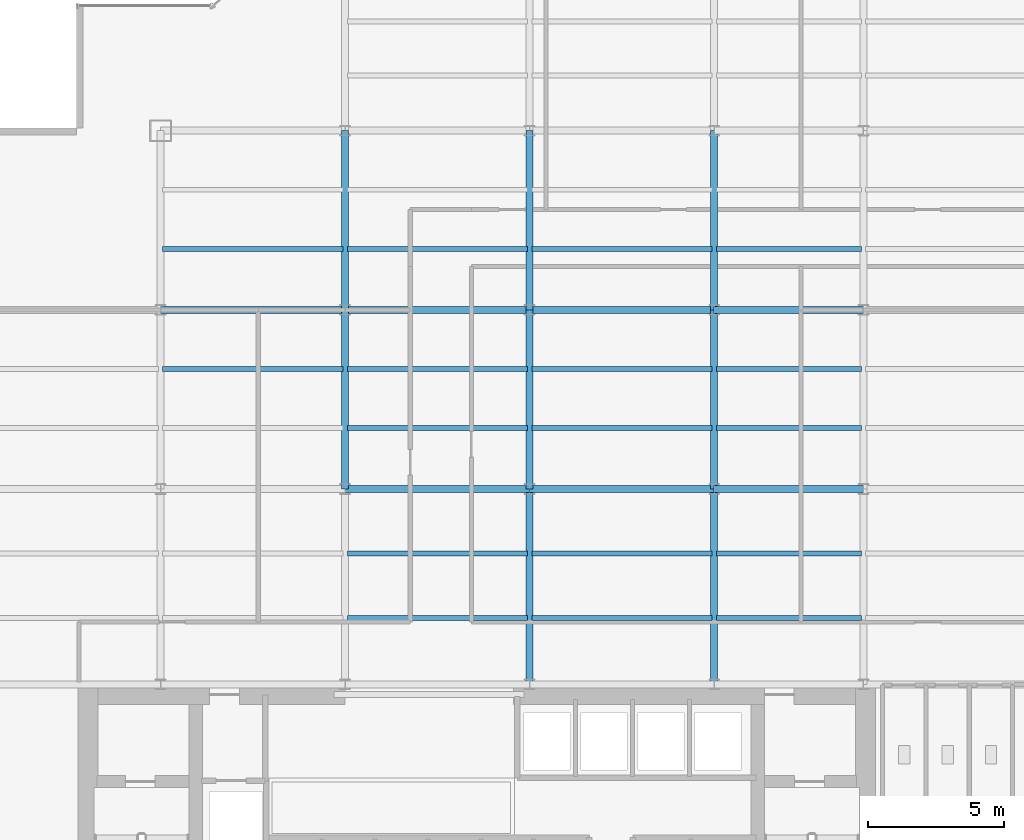
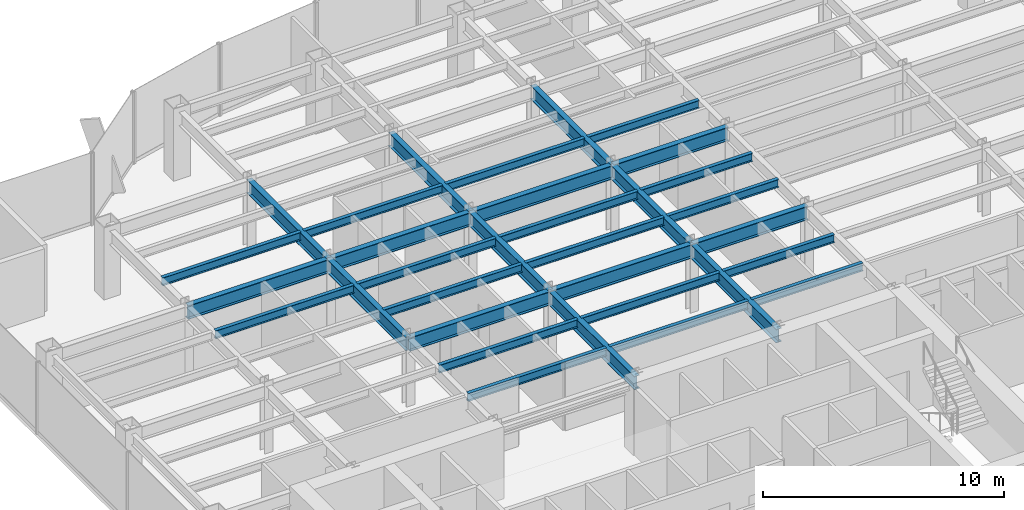
# One storey, part 7 of 26: 32 beams.
"""IFC4 building model written with IfcOpenShell, lengths in metres."""

from ifc_helpers import new_model, si_unit, derived_unit, direction, frame, origin, origin_2d, place, context, subcontext, project, spatial, i_section, extrude, source, transform, mapped, material, material_profile, profile_set, type_object, element, save


model = new_model("IFC4")

# Units and contexts
model_context = context("Model", 3, precision=1e-05, world=origin(), true_north=direction((0.0, 1.0)))
body_context = subcontext(model_context, "Body", "Model", "MODEL_VIEW")
ifc_project = project(units=[si_unit("LENGTHUNIT", "METRE"), si_unit("AREAUNIT", "SQUARE_METRE"), si_unit("VOLUMEUNIT", "CUBIC_METRE"), si_unit("PLANEANGLEUNIT", "RADIAN"), si_unit("MASSUNIT", "GRAM", prefix="KILO"), derived_unit("THERMALTRANSMITTANCEUNIT", [(si_unit("POWERUNIT", "WATT"), 1), (si_unit("LENGTHUNIT", "METRE"), -2), (si_unit("THERMODYNAMICTEMPERATUREUNIT", "KELVIN"), -1)])], contexts=[model_context])

# Site, building, storey
site_placement = place(None, origin())
site = spatial("IfcSite", under=ifc_project, at=site_placement, CompositionType="ELEMENT")
building_placement = place(site_placement, origin())
building = spatial("IfcBuilding", under=site, at=building_placement, Name="Skarnbrae Concourse Arena and Tower", CompositionType="ELEMENT")
storey_placement = place(building_placement, frame((0.0, 0.0, 110.550048828125)))
storey = spatial("IfcBuildingStorey", under=building, at=storey_placement, Name="L27", CompositionType="ELEMENT", Elevation=110.550048828125)

# Beams
ifc_material = material(Name="Steel CSA G40.21 350W", Category="steel")
ifc_material_profile_1 = material_profile(ifc_material, i_section(OverallWidth=0.256103515625, OverallDepth=0.693115234375, WebThickness=0.014404296875, FlangeThickness=0.023681640625, at=origin_2d()), Name="W690X170")
ifc_profile_set_1 = profile_set([ifc_material_profile_1], Name="Steel CSA G40.21 350W")
beam_type_1 = type_object("IfcBeamType", Name="BM-GIRD-W690X170", PredefinedType="BEAM", material=ifc_profile_set_1)
shared_shape_1 = source(origin(), body_context, "Body", "SweptSolid", [
    extrude(i_section(OverallWidth=0.256103515625, OverallDepth=0.693115234375, WebThickness=0.014404296875, FlangeThickness=0.023681640625, at=origin_2d()), origin(), (0.0, 0.0, 1.0), 6.60009765625),
])
for number, where, z_axis, x_axis, name in (
    (1, (14.39990234375, 21.199951171875, 3.053466796875), (0.0, 1.0, 0.0), (-1.0, 0.0, 0.0), "L27 Primary N-S girder X14.4-2"),
    (2, (21.199951171875, 21.199951171875, 3.053466796875), (0.0, 1.0, 0.0), (-1.0, 0.0, 0.0), "L27 Primary N-S girder X21.2-2"),
    (3, (28.0, 21.199951171875, 3.053466796875), (0.0, 1.0, 0.0), (-1.0, 0.0, 0.0), "L27 Primary N-S girder X28.0-2"),
):
    element("IfcBeam", number, at=place(storey_placement, frame(where, z_axis=z_axis, x_axis=x_axis)), inside=storey, type_object=beam_type_1, Name=name, PredefinedType="BEAM", context=body_context, shape_type="MappedRepresentation", body=[
        mapped(shared_shape_1, transform((0.0, 0.0, 0.0))),
    ])
shared_shape_2 = source(origin(), body_context, "Body", "SweptSolid", [
    extrude(i_section(OverallWidth=0.256103515625, OverallDepth=0.693115234375, WebThickness=0.014404296875, FlangeThickness=0.023681640625, at=origin_2d()), origin(), (0.0, 0.0, 1.0), 6.7998046875),
])
beam_placement = place(storey_placement, frame((7.60009765625, 27.800048828125, 3.053466796875), z_axis=(1.0, 0.0, 0.0), x_axis=(0.0, 1.0, 0.0)))
element("IfcBeam", 4, at=beam_placement, inside=storey, type_object=beam_type_1, Name="L27 Primary E-W girder Y27.8-2", PredefinedType="BEAM", context=body_context, shape_type="MappedRepresentation", body=[
    mapped(shared_shape_2, transform((0.0, 0.0, 0.0))),
])
shared_shape_3 = source(origin(), body_context, "Body", "SweptSolid", [
    extrude(i_section(OverallWidth=0.256103515625, OverallDepth=0.693115234375, WebThickness=0.014404296875, FlangeThickness=0.023681640625, at=origin_2d()), origin(), (0.0, 0.0, 1.0), 6.800048828125),
])
for number, where, z_axis, x_axis, name in (
    (5, (14.39990234375, 21.199951171875, 3.053466796875), (1.0, 0.0, 0.0), (0.0, 1.0, 0.0), "L27 Primary E-W girder Y21.2-3"),
    (6, (21.199951171875, 21.199951171875, 3.053466796875), (1.0, 0.0, 0.0), (0.0, 1.0, 0.0), "L27 Primary E-W girder Y21.2-4"),
    (7, (14.39990234375, 27.800048828125, 3.053466796875), (1.0, 0.0, 0.0), (0.0, 1.0, 0.0), "L27 Primary E-W girder Y27.8-3"),
    (8, (21.199951171875, 27.800048828125, 3.053466796875), (1.0, 0.0, 0.0), (0.0, 1.0, 0.0), "L27 Primary E-W girder Y27.8-4"),
):
    element("IfcBeam", number, at=place(storey_placement, frame(where, z_axis=z_axis, x_axis=x_axis)), inside=storey, type_object=beam_type_1, Name=name, PredefinedType="BEAM", context=body_context, shape_type="MappedRepresentation", body=[
        mapped(shared_shape_3, transform((0.0, 0.0, 0.0))),
    ])
shared_shape_4 = source(origin(), body_context, "Body", "SweptSolid", [
    extrude(i_section(OverallWidth=0.256103515625, OverallDepth=0.693115234375, WebThickness=0.014404296875, FlangeThickness=0.023681640625, at=origin_2d()), origin(), (0.0, 0.0, 1.0), 5.5),
])
for number, where, z_axis, x_axis, name in (
    (9, (28.0, 21.199951171875, 3.053466796875), (1.0, 0.0, 0.0), (0.0, 1.0, 0.0), "L27 Primary E-W girder Y21.2-5"),
    (10, (28.0, 27.800048828125, 3.053466796875), (1.0, 0.0, 0.0), (0.0, 1.0, 0.0), "L27 Primary E-W girder Y27.8-5"),
):
    element("IfcBeam", number, at=place(storey_placement, frame(where, z_axis=z_axis, x_axis=x_axis)), inside=storey, type_object=beam_type_1, Name=name, PredefinedType="BEAM", context=body_context, shape_type="MappedRepresentation", body=[
        mapped(shared_shape_4, transform((0.0, 0.0, 0.0))),
    ])
shared_shape_5 = source(origin(), body_context, "Body", "SweptSolid", [
    extrude(i_section(OverallWidth=0.256103515625, OverallDepth=0.693115234375, WebThickness=0.014404296875, FlangeThickness=0.023681640625, at=origin_2d()), origin(), (0.0, 0.0, 1.0), 7.199951171875),
])
for number, where, z_axis, x_axis, name in (
    (11, (21.199951171875, 14.0, 3.053466796875), (0.0, 1.0, 0.0), (-1.0, 0.0, 0.0), "L27 Primary N-S girder X21.2-1"),
    (12, (28.0, 14.0, 3.053466796875), (0.0, 1.0, 0.0), (-1.0, 0.0, 0.0), "L27 Primary N-S girder X28.0-1"),
):
    element("IfcBeam", number, at=place(storey_placement, frame(where, z_axis=z_axis, x_axis=x_axis)), inside=storey, type_object=beam_type_1, Name=name, PredefinedType="BEAM", context=body_context, shape_type="MappedRepresentation", body=[
        mapped(shared_shape_5, transform((0.0, 0.0, 0.0))),
    ])
shared_shape_6 = source(origin(), body_context, "Body", "SweptSolid", [
    extrude(i_section(OverallWidth=0.256103515625, OverallDepth=0.693115234375, WebThickness=0.014404296875, FlangeThickness=0.023681640625, at=origin_2d()), origin(), (0.0, 0.0, 1.0), 6.599853515625),
])
for number, where, z_axis, x_axis, name in (
    (13, (14.39990234375, 27.800048828125, 3.053466796875), (0.0, 1.0, 0.0), (-1.0, 0.0, 0.0), "L27 Primary N-S girder X14.4-3"),
    (14, (21.199951171875, 27.800048828125, 3.053466796875), (0.0, 1.0, 0.0), (-1.0, 0.0, 0.0), "L27 Primary N-S girder X21.2-3"),
    (15, (28.0, 27.800048828125, 3.053466796875), (0.0, 1.0, 0.0), (-1.0, 0.0, 0.0), "L27 Primary N-S girder X28.0-3"),
):
    element("IfcBeam", number, at=place(storey_placement, frame(where, z_axis=z_axis, x_axis=x_axis)), inside=storey, type_object=beam_type_1, Name=name, PredefinedType="BEAM", context=body_context, shape_type="MappedRepresentation", body=[
        mapped(shared_shape_6, transform((0.0, 0.0, 0.0))),
    ])
ifc_material_profile_2 = material_profile(ifc_material, i_section(OverallWidth=0.177978515625, OverallDepth=0.406982421875, WebThickness=0.0078125, FlangeThickness=0.0126953125, at=origin_2d()), Name="W410X60")
ifc_profile_set_2 = profile_set([ifc_material_profile_2], Name="Steel CSA G40.21 350W")
beam_type_2 = type_object("IfcBeamType", Name="BM-JOIST-W410X60", PredefinedType="JOIST", material=ifc_profile_set_2)
shared_shape_7 = source(origin(), body_context, "Body", "SweptSolid", [
    extrude(i_section(OverallWidth=0.177978515625, OverallDepth=0.406982421875, WebThickness=0.0078125, FlangeThickness=0.0126953125, at=origin_2d()), origin(), (0.0, 0.0, 1.0), 6.64013671875),
])
for number, where, z_axis, x_axis, name in (
    (16, (14.47998046875, 16.447998046875, 3.196533203125), (1.0, 0.0, 0.0), (0.0, 1.0, 0.0), "L27 Secondary floor joist 1.1.3"),
    (17, (14.47998046875, 18.823974609375, 3.196533203125), (1.0, 0.0, 0.0), (0.0, 1.0, 0.0), "L27 Secondary floor joist 1.2.3"),
    (18, (14.47998046875, 23.444091796875, 3.196533203125), (1.0, 0.0, 0.0), (0.0, 1.0, 0.0), "L27 Secondary floor joist 2.1.3"),
    (19, (7.679931640625, 25.6220703125, 3.196533203125), (1.0, 0.0, 0.0), (0.0, 1.0, 0.0), "L27 Secondary floor joist 2.2.2"),
    (20, (14.47998046875, 25.6220703125, 3.196533203125), (1.0, 0.0, 0.0), (0.0, 1.0, 0.0), "L27 Secondary floor joist 2.2.3"),
    (21, (7.679931640625, 30.0439453125, 3.196533203125), (1.0, 0.0, 0.0), (0.0, 1.0, 0.0), "L27 Secondary floor joist 3.1.1"),
    (22, (14.47998046875, 30.0439453125, 3.196533203125), (1.0, 0.0, 0.0), (0.0, 1.0, 0.0), "L27 Secondary floor joist 3.1.2"),
):
    element("IfcBeam", number, at=place(storey_placement, frame(where, z_axis=z_axis, x_axis=x_axis)), inside=storey, type_object=beam_type_2, Name=name, PredefinedType="JOIST", context=body_context, shape_type="MappedRepresentation", body=[
        mapped(shared_shape_7, transform((0.0, 0.0, 0.0))),
    ])
shared_shape_8 = source(origin(), body_context, "Body", "SweptSolid", [
    extrude(i_section(OverallWidth=0.177978515625, OverallDepth=0.406982421875, WebThickness=0.0078125, FlangeThickness=0.0126953125, at=origin_2d()), origin(), (0.0, 0.0, 1.0), 6.639892578125),
])
for number, where, z_axis, x_axis, name in (
    (23, (21.280029296875, 16.447998046875, 3.196533203125), (1.0, 0.0, 0.0), (0.0, 1.0, 0.0), "L27 Secondary floor joist 1.1.4"),
    (24, (21.280029296875, 18.823974609375, 3.196533203125), (1.0, 0.0, 0.0), (0.0, 1.0, 0.0), "L27 Secondary floor joist 1.2.4"),
    (25, (21.280029296875, 23.444091796875, 3.196533203125), (1.0, 0.0, 0.0), (0.0, 1.0, 0.0), "L27 Secondary floor joist 2.1.4"),
    (26, (21.280029296875, 25.6220703125, 3.196533203125), (1.0, 0.0, 0.0), (0.0, 1.0, 0.0), "L27 Secondary floor joist 2.2.4"),
    (27, (21.280029296875, 30.0439453125, 3.196533203125), (1.0, 0.0, 0.0), (0.0, 1.0, 0.0), "L27 Secondary floor joist 3.1.3"),
):
    element("IfcBeam", number, at=place(storey_placement, frame(where, z_axis=z_axis, x_axis=x_axis)), inside=storey, type_object=beam_type_2, Name=name, PredefinedType="JOIST", context=body_context, shape_type="MappedRepresentation", body=[
        mapped(shared_shape_8, transform((0.0, 0.0, 0.0))),
    ])
shared_shape_9 = source(origin(), body_context, "Body", "SweptSolid", [
    extrude(i_section(OverallWidth=0.177978515625, OverallDepth=0.406982421875, WebThickness=0.0078125, FlangeThickness=0.0126953125, at=origin_2d()), origin(), (0.0, 0.0, 1.0), 5.33984375),
])
for number, where, z_axis, x_axis, name in (
    (28, (28.080078125, 16.447998046875, 3.196533203125), (1.0, 0.0, 0.0), (0.0, 1.0, 0.0), "L27 Secondary floor joist 1.1.5"),
    (29, (28.080078125, 18.823974609375, 3.196533203125), (1.0, 0.0, 0.0), (0.0, 1.0, 0.0), "L27 Secondary floor joist 1.2.5"),
    (30, (28.080078125, 23.444091796875, 3.196533203125), (1.0, 0.0, 0.0), (0.0, 1.0, 0.0), "L27 Secondary floor joist 2.1.5"),
    (31, (28.080078125, 25.6220703125, 3.196533203125), (1.0, 0.0, 0.0), (0.0, 1.0, 0.0), "L27 Secondary floor joist 2.2.5"),
    (32, (28.080078125, 30.0439453125, 3.196533203125), (1.0, 0.0, 0.0), (0.0, 1.0, 0.0), "L27 Secondary floor joist 3.1.4"),
):
    element("IfcBeam", number, at=place(storey_placement, frame(where, z_axis=z_axis, x_axis=x_axis)), inside=storey, type_object=beam_type_2, Name=name, PredefinedType="JOIST", context=body_context, shape_type="MappedRepresentation", body=[
        mapped(shared_shape_9, transform((0.0, 0.0, 0.0))),
    ])

save(model, "model.ifc")
